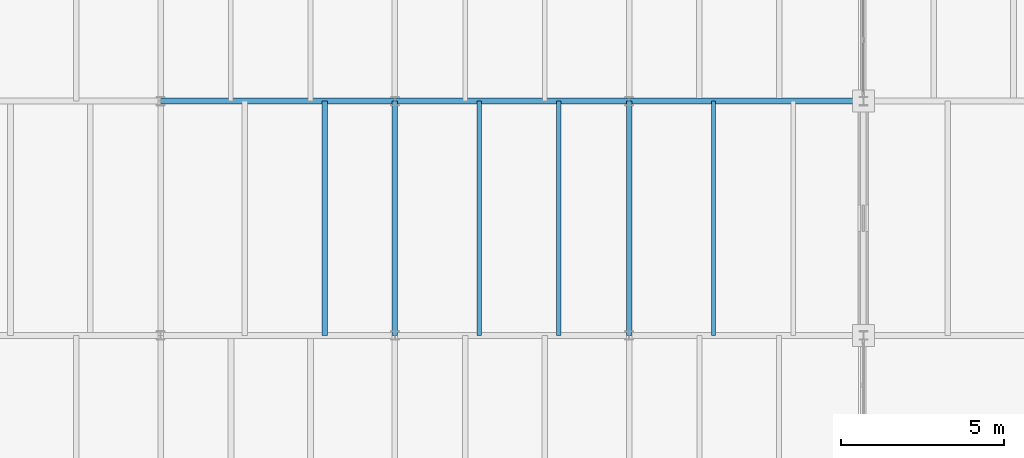
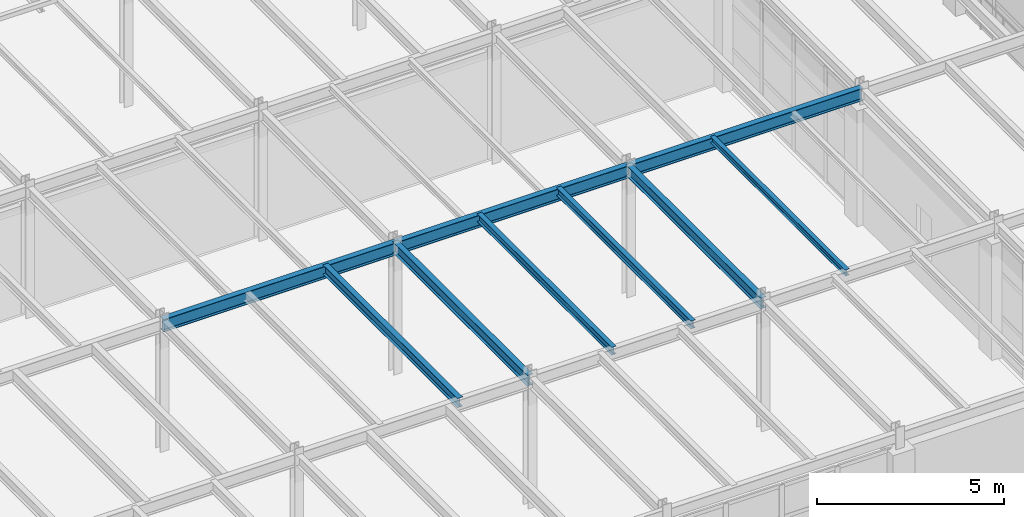
# One storey, part 26 of 101: 9 beams.
"""IFC4 building model written with IfcOpenShell, lengths in metres."""

from ifc_helpers import new_model, si_unit, direction, frame, origin, origin_2d, place, context, subcontext, project, spatial, i_section, extrude, material, material_profile, profile_set, type_object, element, save


model = new_model("IFC4")

# Units and contexts
model_context = context("Model", 3, precision=1e-05, world=origin(), true_north=direction((0.0, 1.0)))
body_context = subcontext(model_context, "Body", "Model", "MODEL_VIEW")
ifc_project = project(units=[si_unit("LENGTHUNIT", "METRE"), si_unit("AREAUNIT", "SQUARE_METRE"), si_unit("VOLUMEUNIT", "CUBIC_METRE"), si_unit("PLANEANGLEUNIT", "RADIAN"), si_unit("MASSUNIT", "GRAM", prefix="KILO")], contexts=[model_context])

# Site, building, storey
site_placement = place(None, origin())
site = spatial("IfcSite", under=ifc_project, at=site_placement, CompositionType="ELEMENT")
building_placement = place(site_placement, origin())
building = spatial("IfcBuilding", under=site, at=building_placement, Name="Kemerveld Promenade Tramway Depot", CompositionType="ELEMENT")
storey_placement = place(building_placement, frame((0.0, 0.0, 9.89990234375)))
storey = spatial("IfcBuildingStorey", under=building, at=storey_placement, Name="L02", CompositionType="ELEMENT", Elevation=9.89990234375)

# Beams
ifc_material = material(Name="Steel S355", Category="steel")
ifc_material_profile_1 = material_profile(ifc_material, i_section(OverallWidth=0.1787109375, OverallDepth=0.409423828125, WebThickness=0.0087890625, FlangeThickness=0.014404296875, FilletRadius=0.01025390625, at=origin_2d()), Name="406x178x67 UB")
ifc_profile_set_1 = profile_set([ifc_material_profile_1], Name="Steel S355")
beam_type_1 = type_object("IfcBeamType", Name="BM-G07", PredefinedType="BEAM", material=ifc_profile_set_1)
for number, where, z_axis, x_axis, name in (
    (1, (28.800048828125, 14.39990234375, 4.080322265625), (1.0, 0.0, 0.0), (0.0, 1.0, 0.0), "BMX-L02-05-06-C"),
    (2, (36.0, 14.39990234375, 4.080322265625), (1.0, 0.0, 0.0), (0.0, 1.0, 0.0), "BMX-L02-06-07-C"),
    (3, (43.199951171875, 14.39990234375, 4.080322265625), (1.0, 0.0, 0.0), (0.0, 1.0, 0.0), "BMX-L02-07-08-C"),
):
    element("IfcBeam", number, at=place(storey_placement, frame(where, z_axis=z_axis, x_axis=x_axis)), inside=storey, type_object=beam_type_1, Name=name, PredefinedType="BEAM", context=body_context, shape_type="SweptSolid", body=[
        extrude(i_section(OverallWidth=0.1787109375, OverallDepth=0.409423828125, WebThickness=0.0087890625, FlangeThickness=0.014404296875, FilletRadius=0.01025390625, at=origin_2d()), origin(), (0.0, 0.0, 1.0), 7.199951171875),
    ])
ifc_material_profile_2 = material_profile(ifc_material, i_section(OverallWidth=0.172119140625, OverallDepth=0.35791015625, WebThickness=0.008056640625, FlangeThickness=0.012939453125, FilletRadius=0.01025390625, at=origin_2d()), Name="356x171x57 UB")
ifc_profile_set_2 = profile_set([ifc_material_profile_2], Name="Steel S355")
beam_type_2 = type_object("IfcBeamType", Name="BM-G08", PredefinedType="BEAM", material=ifc_profile_set_2)
for number, where, z_axis, x_axis, name in (
    (4, (36.0, 7.199951171875, 4.106201171875), (0.0, 1.0, 0.0), (-1.0, 0.0, 0.0), "BMY-L02-06-B-C"),
    (5, (43.199951171875, 7.199951171875, 4.106201171875), (0.0, 1.0, 0.0), (-1.0, 0.0, 0.0), "BMY-L02-07-B-C"),
):
    element("IfcBeam", number, at=place(storey_placement, frame(where, z_axis=z_axis, x_axis=x_axis)), inside=storey, type_object=beam_type_2, Name=name, PredefinedType="BEAM", context=body_context, shape_type="SweptSolid", body=[
        extrude(i_section(OverallWidth=0.172119140625, OverallDepth=0.35791015625, WebThickness=0.008056640625, FlangeThickness=0.012939453125, FilletRadius=0.01025390625, at=origin_2d()), origin(), (0.0, 0.0, 1.0), 7.199951171875),
    ])
ifc_material_profile_3 = material_profile(ifc_material, i_section(OverallWidth=0.165771484375, OverallDepth=0.306640625, WebThickness=0.006591796875, FlangeThickness=0.01171875, FilletRadius=0.0087890625, at=origin_2d()), Name="305x165x46 UB")
ifc_profile_set_3 = profile_set([ifc_material_profile_3], Name="Steel S355")
beam_type_3 = type_object("IfcBeamType", Name="BM-J01", PredefinedType="JOIST", material=ifc_profile_set_3)
beam_1_placement = place(storey_placement, frame((33.840087890625, 7.199951171875, 4.1318359375), z_axis=(0.0, 1.0, 0.0), x_axis=(-1.0, 0.0, 0.0)))
element("IfcBeam", 6, at=beam_1_placement, inside=storey, type_object=beam_type_3, Name="JST-L02-05-B-2", PredefinedType="JOIST", context=body_context, shape_type="SweptSolid", body=[
    extrude(i_section(OverallWidth=0.165771484375, OverallDepth=0.306640625, WebThickness=0.006591796875, FlangeThickness=0.01171875, FilletRadius=0.0087890625, at=origin_2d()), origin(), (0.0, 0.0, 1.0), 7.199951171875),
])
ifc_material_profile_4 = material_profile(ifc_material, i_section(OverallWidth=0.146484375, OverallDepth=0.256103515625, WebThickness=0.00634765625, FlangeThickness=0.010986328125, FilletRadius=0.007568359375, at=origin_2d()), Name="254x146x37 UB")
ifc_profile_set_4 = profile_set([ifc_material_profile_4], Name="Steel S355")
beam_type_4 = type_object("IfcBeamType", Name="BM-J02", PredefinedType="JOIST", material=ifc_profile_set_4)
for number, where, z_axis, x_axis, name in (
    (7, (38.592041015625, 7.199951171875, 4.156982421875), (0.0, 1.0, 0.0), (-1.0, 0.0, 0.0), "JST-L02-06-B-1"),
    (8, (41.0400390625, 7.199951171875, 4.156982421875), (0.0, 1.0, 0.0), (-1.0, 0.0, 0.0), "JST-L02-06-B-2"),
):
    element("IfcBeam", number, at=place(storey_placement, frame(where, z_axis=z_axis, x_axis=x_axis)), inside=storey, type_object=beam_type_4, Name=name, PredefinedType="JOIST", context=body_context, shape_type="SweptSolid", body=[
        extrude(i_section(OverallWidth=0.146484375, OverallDepth=0.256103515625, WebThickness=0.00634765625, FlangeThickness=0.010986328125, FilletRadius=0.007568359375, at=origin_2d()), origin(), (0.0, 0.0, 1.0), 7.199951171875),
    ])
ifc_material_profile_5 = material_profile(ifc_material, i_section(OverallWidth=0.13330078125, OverallDepth=0.203125, WebThickness=0.005615234375, FlangeThickness=0.0078125, FilletRadius=0.007568359375, at=origin_2d()), Name="203x133x25 UB")
ifc_profile_set_5 = profile_set([ifc_material_profile_5], Name="Steel S355")
beam_type_5 = type_object("IfcBeamType", Name="BM-J03", PredefinedType="JOIST", material=ifc_profile_set_5)
beam_2_placement = place(storey_placement, frame((45.7919921875, 7.199951171875, 4.18359375), z_axis=(0.0, 1.0, 0.0), x_axis=(-1.0, 0.0, 0.0)))
element("IfcBeam", 9, at=beam_2_placement, inside=storey, type_object=beam_type_5, Name="JST-L02-07-B-1", PredefinedType="JOIST", context=body_context, shape_type="SweptSolid", body=[
    extrude(i_section(OverallWidth=0.13330078125, OverallDepth=0.203125, WebThickness=0.005615234375, FlangeThickness=0.0078125, FilletRadius=0.007568359375, at=origin_2d()), origin(), (0.0, 0.0, 1.0), 7.199951171875),
])

save(model, "model.ifc")
